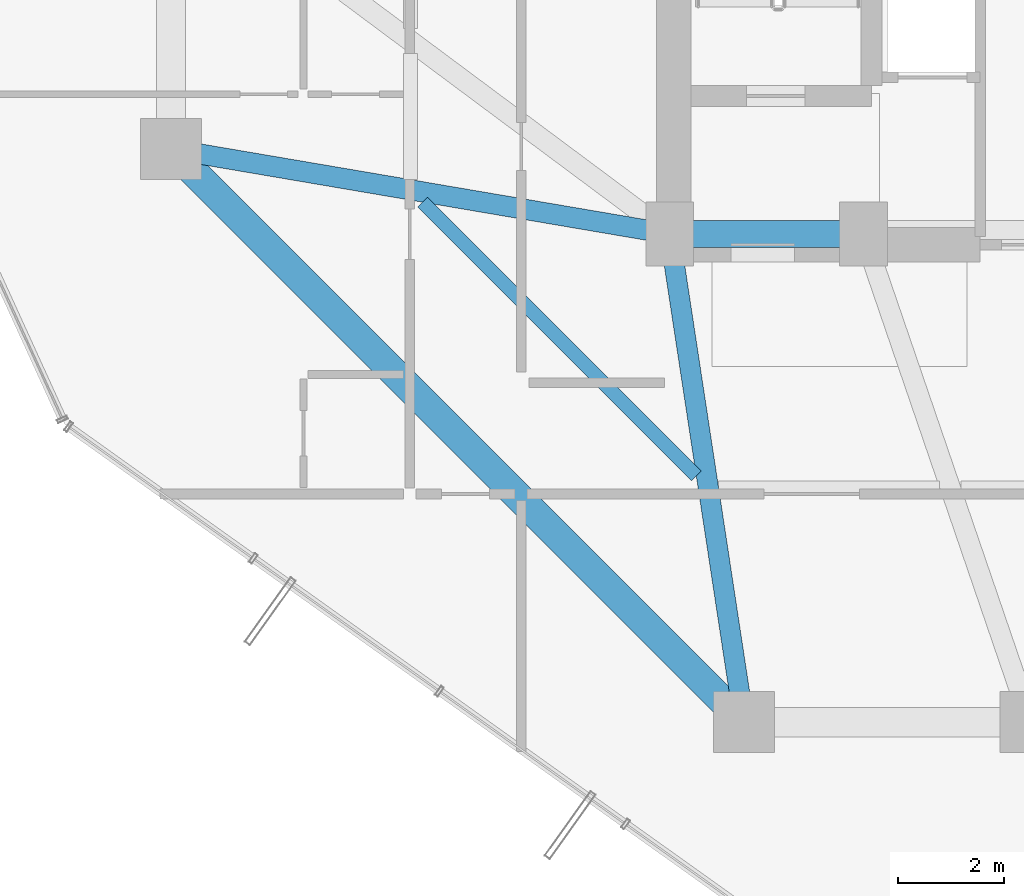
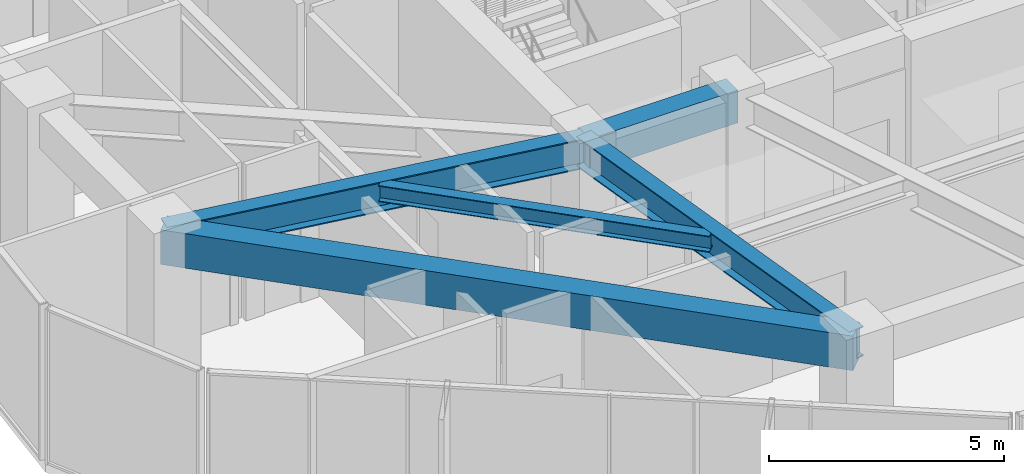
# One storey, part 4 of 25: 5 beams.
"""IFC4 building model written with IfcOpenShell, lengths in metres."""

from ifc_helpers import new_model, si_unit, direction, frame, origin, origin_2d, place, context, subcontext, project, spatial, rectangle, i_section, extrude, material, material_profile, profile_set, type_object, element, save


model = new_model("IFC4")

# Units and contexts
model_context = context("Model", 3, precision=1e-05, world=origin(), true_north=direction((0.0, 1.0)))
body_context = subcontext(model_context, "Body", "Model", "MODEL_VIEW")
ifc_project = project(units=[si_unit("LENGTHUNIT", "METRE"), si_unit("AREAUNIT", "SQUARE_METRE"), si_unit("VOLUMEUNIT", "CUBIC_METRE"), si_unit("PLANEANGLEUNIT", "RADIAN"), si_unit("MASSUNIT", "GRAM", prefix="KILO")], contexts=[model_context])

# Site, building, storey
site_placement = place(None, origin())
site = spatial("IfcSite", under=ifc_project, at=site_placement, CompositionType="ELEMENT")
building_placement = place(site_placement, origin())
building = spatial("IfcBuilding", under=site, at=building_placement, Name="Veraguas Prism Commons", CompositionType="ELEMENT")
storey_placement = place(building_placement, frame((0.0, 0.0, 108.949951171875)))
storey = spatial("IfcBuildingStorey", under=building, at=storey_placement, Name="L30", CompositionType="ELEMENT", Elevation=108.949951171875)

# Beams
ifc_material_1 = material(Name="Steel ASTM A992 Grade 50", Category="steel")
ifc_material_profile_1 = material_profile(ifc_material_1, i_section(OverallWidth=0.382080078125, OverallDepth=0.779052734375, WebThickness=0.01806640625, FlangeThickness=0.030029296875, at=origin_2d()), Name="W760X284")
ifc_profile_set_1 = profile_set([ifc_material_profile_1], Name="Steel ASTM A992 Grade 50")
beam_type_1 = type_object("IfcBeamType", Name="Assembly Primary Girder W760x284", PredefinedType="BEAM", material=ifc_profile_set_1)
beam_1_placement = place(storey_placement, frame((7.800048828125, 18.60009765625, 3.66064453125), z_axis=(0.985819187151, -0.1678109956, 0.0), x_axis=(0.1678109956, 0.985819187151, 0.0)))
element("IfcBeam", 1, at=beam_1_placement, inside=storey, type_object=beam_type_1, Name="Radial Floor Girder L30-RD09", PredefinedType="BEAM", context=body_context, shape_type="SweptSolid", body=[
    extrude(i_section(OverallWidth=0.382080078125, OverallDepth=0.779052734375, WebThickness=0.01806640625, FlangeThickness=0.030029296875, at=origin_2d()), origin(), (0.0, 0.0, 1.0), 9.53515625),
])
beam_2_placement = place(storey_placement, frame((18.60009765625, 7.800048828125, 3.66064453125), z_axis=(-0.150458162136, 0.98861637729, 0.0), x_axis=(-0.98861637729, -0.150458162136, 0.0)))
element("IfcBeam", 2, at=beam_2_placement, inside=storey, type_object=beam_type_1, Name="Radial Floor Girder L30-RD10", PredefinedType="BEAM", context=body_context, shape_type="SweptSolid", body=[
    extrude(i_section(OverallWidth=0.382080078125, OverallDepth=0.779052734375, WebThickness=0.01806640625, FlangeThickness=0.030029296875, at=origin_2d()), origin(), (0.0, 0.0, 1.0), 9.305908203125),
])
ifc_material_2 = material(Name="Concrete C50/60", Category="concrete")
ifc_material_profile_2 = material_profile(ifc_material_2, rectangle(XDim=0.5, YDim=0.85009765625, at=origin_2d()), Name="RC500X850")
ifc_profile_set_2 = profile_set([ifc_material_profile_2], Name="Concrete C50/60")
beam_type_2 = type_object("IfcBeamType", Name="Core Coupling Beam RC 500x850", PredefinedType="BEAM", material=ifc_profile_set_2)
beam_3_placement = place(storey_placement, frame((17.199951171875, 17.0, 3.625), z_axis=(1.0, 0.0, 0.0), x_axis=(0.0, 1.0, 0.0)))
element("IfcBeam", 3, at=beam_3_placement, inside=storey, type_object=beam_type_2, Name="Core Coupling Beam L30-CRS1", PredefinedType="BEAM", context=body_context, shape_type="SweptSolid", body=[
    extrude(rectangle(XDim=0.5, YDim=0.85009765625, at=origin_2d()), origin(), (0.0, 0.0, 1.0), 3.650146484375),
])
ifc_material_profile_3 = material_profile(ifc_material_1, i_section(OverallWidth=0.260986328125, OverallDepth=0.419921875, WebThickness=0.01171875, FlangeThickness=0.019287109375, at=origin_2d()), Name="W410X114")
ifc_profile_set_3 = profile_set([ifc_material_profile_3], Name="Steel ASTM A992 Grade 50")
beam_type_3 = type_object("IfcBeamType", Name="Lower Floor Joist W410x114", PredefinedType="JOIST", material=ifc_profile_set_3)
beam_4_placement = place(storey_placement, frame((12.54296875, 17.60107421875, 3.840087890625), z_axis=(0.707090051465, -0.707123510512, 0.0), x_axis=(0.707123510512, 0.707090051465, 0.0)))
element("IfcBeam", 4, at=beam_4_placement, inside=storey, type_object=beam_type_3, Name="Composite Floor Joist L30-JS09", PredefinedType="JOIST", context=body_context, shape_type="SweptSolid", body=[
    extrude(i_section(OverallWidth=0.260986328125, OverallDepth=0.419921875, WebThickness=0.01171875, FlangeThickness=0.019287109375, at=origin_2d()), origin(), (0.0, 0.0, 1.0), 7.296630859375),
])
ifc_material_profile_4 = material_profile(ifc_material_2, rectangle(XDim=0.550048828125, YDim=0.89990234375, at=origin_2d()), Name="RC550X900")
ifc_profile_set_4 = profile_set([ifc_material_profile_4], Name="Concrete C50/60")
beam_type_4 = type_object("IfcBeamType", Name="Perimeter Spandrel Lower RC 550x900", PredefinedType="SPANDREL", material=ifc_profile_set_4)
beam_5_placement = place(storey_placement, frame((7.800048828125, 18.60009765625, 3.60009765625), z_axis=(0.707106781187, -0.707106781187, 0.0), x_axis=(0.707106781187, 0.707106781187, 0.0)))
element("IfcBeam", 5, at=beam_5_placement, inside=storey, type_object=beam_type_4, Name="Perimeter Spandrel Beam L30-SP09", PredefinedType="SPANDREL", context=body_context, shape_type="SweptSolid", body=[
    extrude(rectangle(XDim=0.550048828125, YDim=0.89990234375, at=origin_2d()), origin(), (0.0, 0.0, 1.0), 15.273681640625),
])

save(model, "model.ifc")
